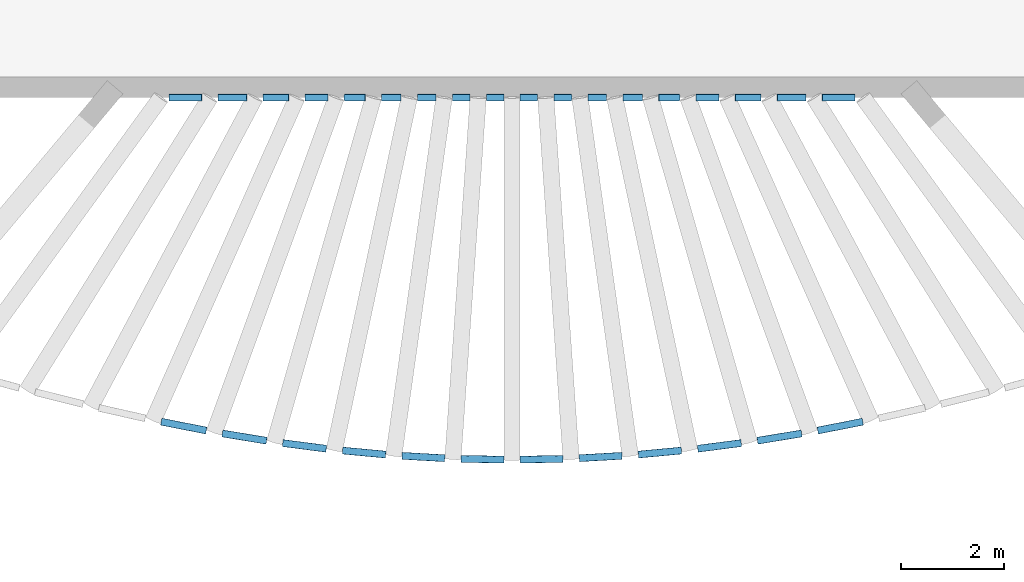
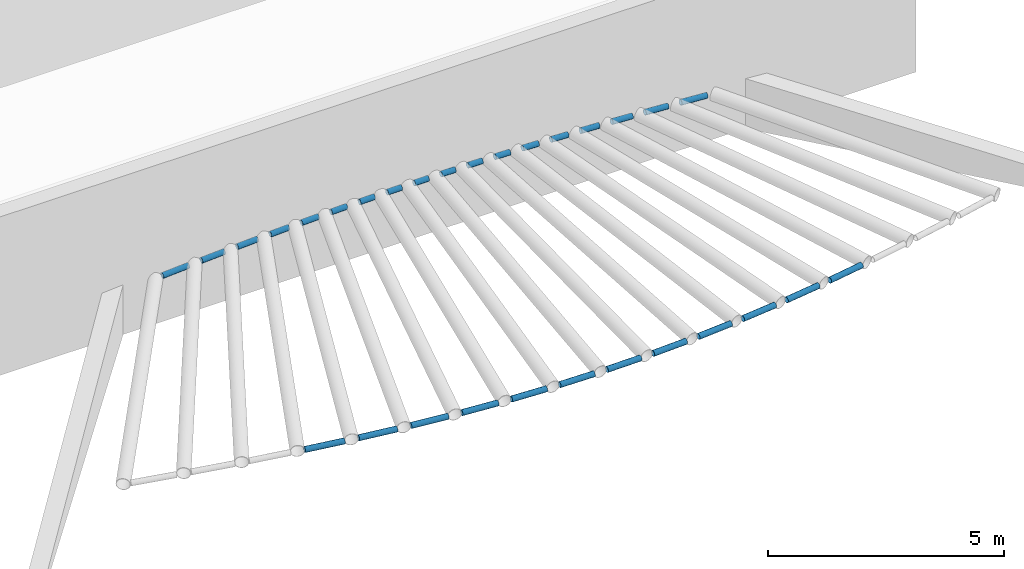
# One storey, part 26 of 85: 30 members.
"""IFC4 building model written with IfcOpenShell, lengths in metres."""

from ifc_helpers import new_model, si_unit, direction, frame, origin, origin_2d, place, context, subcontext, project, spatial, hollow_circle, extrude, material, material_profile, profile_set, type_object, element, save


model = new_model("IFC4")

# Units and contexts
model_context = context("Model", 3, precision=1e-05, world=origin(), true_north=direction((0.0, 1.0)))
body_context = subcontext(model_context, "Body", "Model", "MODEL_VIEW")
ifc_project = project(units=[si_unit("LENGTHUNIT", "METRE"), si_unit("AREAUNIT", "SQUARE_METRE"), si_unit("VOLUMEUNIT", "CUBIC_METRE"), si_unit("PLANEANGLEUNIT", "RADIAN"), si_unit("MASSUNIT", "GRAM", prefix="KILO")], contexts=[model_context])

# Site, building, storey
site_placement = place(None, origin())
site = spatial("IfcSite", under=ifc_project, at=site_placement, CompositionType="ELEMENT")
building_placement = place(site_placement, origin())
building = spatial("IfcBuilding", under=site, at=building_placement, Name="Rain Tree Exposition and Congress Centre", CompositionType="ELEMENT")
storey_placement = place(building_placement, frame((0.0, 0.0, 15.0)))
storey = spatial("IfcBuildingStorey", under=building, at=storey_placement, Name="L03", CompositionType="ELEMENT", Elevation=15.0)

# Members
ifc_material = material(Name="Steel S355J2H", Category="steel")
ifc_material_profile = material_profile(ifc_material, hollow_circle(Radius=0.06982421875, WallThickness=0.0048828125, at=origin_2d()), Name="CHS 140x5")
ifc_profile_set = profile_set([ifc_material_profile], Name="Steel S355J2H")
member_type = type_object("IfcMemberType", Name="Steel purlin member CHS 140x5", PredefinedType="PURLIN", material=ifc_profile_set)
member_1_placement = place(storey_placement, frame((194.93701171875, 57.81005859375, 1.193359375), z_axis=(0.998025663252, 0.0, 0.062807447726), x_axis=(0.0, 1.0, 0.0)))
element("IfcMember", 1, at=member_1_placement, inside=storey, type_object=member_type, Name="PU1-6", PredefinedType="PURLIN", context=body_context, shape_type="SweptSolid", body=[
    extrude(hollow_circle(Radius=0.06982421875, WallThickness=0.0048828125, at=origin_2d()), origin(), (0.0, 0.0, 1.0), 0.637451171875),
])
member_2_placement = place(storey_placement, frame((195.891845703125, 57.81005859375, 1.252197265625), z_axis=(0.998400445671, 0.0, 0.056538041041), x_axis=(0.0, 1.0, 0.0)))
element("IfcMember", 2, at=member_2_placement, inside=storey, type_object=member_type, Name="PU2-6", PredefinedType="PURLIN", context=body_context, shape_type="SweptSolid", body=[
    extrude(hollow_circle(Radius=0.06982421875, WallThickness=0.0048828125, at=origin_2d()), origin(), (0.0, 0.0, 1.0), 0.55712890625),
])
member_3_placement = place(storey_placement, frame((196.7666015625, 57.81005859375, 1.30029296875), z_axis=(0.998778085542, 0.0, 0.049419994337), x_axis=(0.0, 1.0, 0.0)))
element("IfcMember", 3, at=member_3_placement, inside=storey, type_object=member_type, Name="PU3-6", PredefinedType="PURLIN", context=body_context, shape_type="SweptSolid", body=[
    extrude(hollow_circle(Radius=0.06982421875, WallThickness=0.0048828125, at=origin_2d()), origin(), (0.0, 0.0, 1.0), 0.493896484375),
])
member_4_placement = place(storey_placement, frame((194.78369140625, 51.508544921875, 0.563720703125), z_axis=(0.981025148255, -0.192701368407, 0.021350435704), x_axis=(0.192745304031, 0.981248820521, 0.0)))
element("IfcMember", 4, at=member_4_placement, inside=storey, type_object=member_type, Name="PU4-5", PredefinedType="PURLIN", context=body_context, shape_type="SweptSolid", body=[
    extrude(hollow_circle(Radius=0.06982421875, WallThickness=0.0048828125, at=origin_2d()), origin(), (0.0, 0.0, 1.0), 0.891845703125),
])
member_5_placement = place(storey_placement, frame((197.57861328125, 57.81005859375, 1.33935546875), z_axis=(0.999106229255, 0.0, 0.04226987893), x_axis=(0.0, 1.0, 0.0)))
element("IfcMember", 5, at=member_5_placement, inside=storey, type_object=member_type, Name="PU4-6", PredefinedType="PURLIN", context=body_context, shape_type="SweptSolid", body=[
    extrude(hollow_circle(Radius=0.06982421875, WallThickness=0.0048828125, at=origin_2d()), origin(), (0.0, 0.0, 1.0), 0.44482421875),
])
member_6_placement = place(storey_placement, frame((195.97216796875, 51.280029296875, 0.5888671875), z_axis=(0.986690547933, -0.161734136485, 0.016847305884), x_axis=(0.161757094011, 0.986830604783, 0.0)))
element("IfcMember", 6, at=member_6_placement, inside=storey, type_object=member_type, Name="PU5-5", PredefinedType="PURLIN", context=body_context, shape_type="SweptSolid", body=[
    extrude(hollow_circle(Radius=0.06982421875, WallThickness=0.0048828125, at=origin_2d()), origin(), (0.0, 0.0, 1.0), 0.869384765625),
])
member_7_placement = place(storey_placement, frame((198.341552734375, 57.81005859375, 1.370361328125), z_axis=(0.9993945456, 0.0, 0.034792847326), x_axis=(0.0, 1.0, 0.0)))
element("IfcMember", 7, at=member_7_placement, inside=storey, type_object=member_type, Name="PU5-6", PredefinedType="PURLIN", context=body_context, shape_type="SweptSolid", body=[
    extrude(hollow_circle(Radius=0.06982421875, WallThickness=0.0048828125, at=origin_2d()), origin(), (0.0, 0.0, 1.0), 0.406982421875),
])
member_8_placement = place(storey_placement, frame((197.145263671875, 51.093017578125, 0.6083984375), z_axis=(0.991616792555, -0.128569431088, 0.012885577726), x_axis=(0.12858010613, 0.991699125898, 0.0)))
element("IfcMember", 8, at=member_8_placement, inside=storey, type_object=member_type, Name="PU6-5", PredefinedType="PURLIN", context=body_context, shape_type="SweptSolid", body=[
    extrude(hollow_circle(Radius=0.06982421875, WallThickness=0.0048828125, at=origin_2d()), origin(), (0.0, 0.0, 1.0), 0.8525390625),
])
member_9_placement = place(storey_placement, frame((199.06689453125, 57.81005859375, 1.394287109375), z_axis=(0.999614420653, 0.0, 0.02776706724), x_axis=(0.0, 1.0, 0.0)))
element("IfcMember", 9, at=member_9_placement, inside=storey, type_object=member_type, Name="PU6-6", PredefinedType="PURLIN", context=body_context, shape_type="SweptSolid", body=[
    extrude(hollow_circle(Radius=0.06982421875, WallThickness=0.0048828125, at=origin_2d()), origin(), (0.0, 0.0, 1.0), 0.378173828125),
])
member_10_placement = place(storey_placement, frame((198.307373046875, 50.947998046875, 0.623046875), z_axis=(0.995603987123, -0.093228961455, 0.009003419954), x_axis=(0.093232740327, 0.995644342188, 0.0)))
element("IfcMember", 10, at=member_10_placement, inside=storey, type_object=member_type, Name="PU7-5", PredefinedType="PURLIN", context=body_context, shape_type="SweptSolid", body=[
    extrude(hollow_circle(Radius=0.06982421875, WallThickness=0.0048828125, at=origin_2d()), origin(), (0.0, 0.0, 1.0), 0.840576171875),
])
member_11_placement = place(storey_placement, frame((199.763427734375, 57.81005859375, 1.412109375), z_axis=(0.999804132157, 0.0, 0.019791344596), x_axis=(0.0, 1.0, 0.0)))
element("IfcMember", 11, at=member_11_placement, inside=storey, type_object=member_type, Name="PU7-6", PredefinedType="PURLIN", context=body_context, shape_type="SweptSolid", body=[
    extrude(hollow_circle(Radius=0.06982421875, WallThickness=0.0048828125, at=origin_2d()), origin(), (0.0, 0.0, 1.0), 0.357666015625),
])
member_12_placement = place(storey_placement, frame((199.4619140625, 50.845703125, 0.633056640625), z_axis=(0.998384513989, -0.056573168291, 0.005276254038), x_axis=(0.056573955774, 0.998398411221, 0.0)))
element("IfcMember", 12, at=member_12_placement, inside=storey, type_object=member_type, Name="PU8-5", PredefinedType="PURLIN", context=body_context, shape_type="SweptSolid", body=[
    extrude(hollow_circle(Radius=0.06982421875, WallThickness=0.0048828125, at=origin_2d()), origin(), (0.0, 0.0, 1.0), 0.8330078125),
])
member_13_placement = place(storey_placement, frame((200.439697265625, 57.81005859375, 1.424072265625), z_axis=(0.999927428426, 0.0, 0.012047318415), x_axis=(0.0, 1.0, 0.0)))
element("IfcMember", 13, at=member_13_placement, inside=storey, type_object=member_type, Name="PU8-6", PredefinedType="PURLIN", context=body_context, shape_type="SweptSolid", body=[
    extrude(hollow_circle(Radius=0.06982421875, WallThickness=0.0048828125, at=origin_2d()), origin(), (0.0, 0.0, 1.0), 0.344482421875),
])
member_14_placement = place(storey_placement, frame((200.61181640625, 50.78662109375, 0.638671875), z_axis=(0.999820801648, -0.018847873728, 0.001766988162), x_axis=(0.018847903152, 0.999822362496, 0.0)))
element("IfcMember", 14, at=member_14_placement, inside=storey, type_object=member_type, Name="PU9-5", PredefinedType="PURLIN", context=body_context, shape_type="SweptSolid", body=[
    extrude(hollow_circle(Radius=0.06982421875, WallThickness=0.0048828125, at=origin_2d()), origin(), (0.0, 0.0, 1.0), 0.8291015625),
])
member_15_placement = place(storey_placement, frame((201.102783203125, 57.81005859375, 1.4306640625), z_axis=(0.999993474203, 0.0, 0.003612693187), x_axis=(0.0, 1.0, 0.0)))
element("IfcMember", 15, at=member_15_placement, inside=storey, type_object=member_type, Name="PU9-6", PredefinedType="PURLIN", context=body_context, shape_type="SweptSolid", body=[
    extrude(hollow_circle(Radius=0.06982421875, WallThickness=0.0048828125, at=origin_2d()), origin(), (0.0, 0.0, 1.0), 0.337890625),
])
member_16_placement = place(storey_placement, frame((201.75927734375, 50.77099609375, 0.64013671875), z_axis=(0.999820801648, 0.018847873728, -0.001766988162), x_axis=(-0.018847903152, 0.999822362496, 0.0)))
element("IfcMember", 16, at=member_16_placement, inside=storey, type_object=member_type, Name="PU10-5", PredefinedType="PURLIN", context=body_context, shape_type="SweptSolid", body=[
    extrude(hollow_circle(Radius=0.06982421875, WallThickness=0.0048828125, at=origin_2d()), origin(), (0.0, 0.0, 1.0), 0.8291015625),
])
member_17_placement = place(storey_placement, frame((201.75927734375, 57.81005859375, 1.431884765625), z_axis=(0.999993483623, 0.0, -0.003610084778), x_axis=(0.0, 1.0, 0.0)))
element("IfcMember", 17, at=member_17_placement, inside=storey, type_object=member_type, Name="PU10-6", PredefinedType="PURLIN", context=body_context, shape_type="SweptSolid", body=[
    extrude(hollow_circle(Radius=0.06982421875, WallThickness=0.0048828125, at=origin_2d()), origin(), (0.0, 0.0, 1.0), 0.338134765625),
])
member_18_placement = place(storey_placement, frame((202.906494140625, 50.798583984375, 0.637451171875), z_axis=(0.998385459888, 0.056556616894, -0.005274710384), x_axis=(-0.056557403686, 0.998399349002, 0.0)))
element("IfcMember", 18, at=member_18_placement, inside=storey, type_object=member_type, Name="PU11-5", PredefinedType="PURLIN", context=body_context, shape_type="SweptSolid", body=[
    extrude(hollow_circle(Radius=0.06982421875, WallThickness=0.0048828125, at=origin_2d()), origin(), (0.0, 0.0, 1.0), 0.833251953125),
])
member_19_placement = place(storey_placement, frame((202.416015625, 57.81005859375, 1.42822265625), z_axis=(0.999927428426, 0.0, -0.012047318415), x_axis=(0.0, 1.0, 0.0)))
element("IfcMember", 19, at=member_19_placement, inside=storey, type_object=member_type, Name="PU11-6", PredefinedType="PURLIN", context=body_context, shape_type="SweptSolid", body=[
    extrude(hollow_circle(Radius=0.06982421875, WallThickness=0.0048828125, at=origin_2d()), origin(), (0.0, 0.0, 1.0), 0.344482421875),
])
member_20_placement = place(storey_placement, frame((204.055908203125, 50.86962890625, 0.630615234375), z_axis=(0.995601438137, 0.093255926945, -0.009006024098), x_axis=(-0.093259709098, 0.995641816448, 0.0)))
element("IfcMember", 20, at=member_20_placement, inside=storey, type_object=member_type, Name="PU12-5", PredefinedType="PURLIN", context=body_context, shape_type="SweptSolid", body=[
    extrude(hollow_circle(Radius=0.06982421875, WallThickness=0.0048828125, at=origin_2d()), origin(), (0.0, 0.0, 1.0), 0.84033203125),
])
member_21_placement = place(storey_placement, frame((203.0791015625, 57.81005859375, 1.419189453125), z_axis=(0.999803864566, 0.0, -0.019804857973), x_axis=(0.0, 1.0, 0.0)))
element("IfcMember", 21, at=member_21_placement, inside=storey, type_object=member_type, Name="PU12-6", PredefinedType="PURLIN", context=body_context, shape_type="SweptSolid", body=[
    extrude(hollow_circle(Radius=0.06982421875, WallThickness=0.0048828125, at=origin_2d()), origin(), (0.0, 0.0, 1.0), 0.357421875),
])
member_22_placement = place(storey_placement, frame((205.209228515625, 50.9833984375, 0.619384765625), z_axis=(0.991616792555, 0.128569431088, -0.012885577726), x_axis=(-0.12858010613, 0.991699125898, 0.0)))
element("IfcMember", 22, at=member_22_placement, inside=storey, type_object=member_type, Name="PU13-5", PredefinedType="PURLIN", context=body_context, shape_type="SweptSolid", body=[
    extrude(hollow_circle(Radius=0.06982421875, WallThickness=0.0048828125, at=origin_2d()), origin(), (0.0, 0.0, 1.0), 0.8525390625),
])
member_23_placement = place(storey_placement, frame((203.755126953125, 57.81005859375, 1.40478515625), z_axis=(0.999614918048, 0.0, -0.027749155246), x_axis=(0.0, 1.0, 0.0)))
element("IfcMember", 23, at=member_23_placement, inside=storey, type_object=member_type, Name="PU13-6", PredefinedType="PURLIN", context=body_context, shape_type="SweptSolid", body=[
    extrude(hollow_circle(Radius=0.06982421875, WallThickness=0.0048828125, at=origin_2d()), origin(), (0.0, 0.0, 1.0), 0.37841796875),
])
member_24_placement = place(storey_placement, frame((206.369873046875, 51.139404296875, 0.603515625), z_axis=(0.986690547933, 0.161734136485, -0.016847305884), x_axis=(-0.161757094011, 0.986830604783, 0.0)))
element("IfcMember", 24, at=member_24_placement, inside=storey, type_object=member_type, Name="PU14-5", PredefinedType="PURLIN", context=body_context, shape_type="SweptSolid", body=[
    extrude(hollow_circle(Radius=0.06982421875, WallThickness=0.0048828125, at=origin_2d()), origin(), (0.0, 0.0, 1.0), 0.869384765625),
])
member_25_placement = place(storey_placement, frame((204.451904296875, 57.81005859375, 1.384521484375), z_axis=(0.99939381877, 0.0, -0.034813718612), x_axis=(0.0, 1.0, 0.0)))
element("IfcMember", 25, at=member_25_placement, inside=storey, type_object=member_type, Name="PU14-6", PredefinedType="PURLIN", context=body_context, shape_type="SweptSolid", body=[
    extrude(hollow_circle(Radius=0.06982421875, WallThickness=0.0048828125, at=origin_2d()), origin(), (0.0, 0.0, 1.0), 0.40673828125),
])
member_26_placement = place(storey_placement, frame((207.541259765625, 51.336669921875, 0.582763671875), z_axis=(0.981025148255, 0.192701368407, -0.021350435704), x_axis=(-0.192745304031, 0.981248820521, 0.0)))
element("IfcMember", 26, at=member_26_placement, inside=storey, type_object=member_type, Name="PU15-5", PredefinedType="PURLIN", context=body_context, shape_type="SweptSolid", body=[
    extrude(hollow_circle(Radius=0.06982421875, WallThickness=0.0048828125, at=origin_2d()), origin(), (0.0, 0.0, 1.0), 0.891845703125),
])
member_27_placement = place(storey_placement, frame((205.177001953125, 57.81005859375, 1.358154296875), z_axis=(0.999106229255, 0.0, -0.04226987893), x_axis=(0.0, 1.0, 0.0)))
element("IfcMember", 27, at=member_27_placement, inside=storey, type_object=member_type, Name="PU15-6", PredefinedType="PURLIN", context=body_context, shape_type="SweptSolid", body=[
    extrude(hollow_circle(Radius=0.06982421875, WallThickness=0.0048828125, at=origin_2d()), origin(), (0.0, 0.0, 1.0), 0.44482421875),
])
member_28_placement = place(storey_placement, frame((205.93994140625, 57.81005859375, 1.32470703125), z_axis=(0.998779291652, 0.0, -0.049395612841), x_axis=(0.0, 1.0, 0.0)))
element("IfcMember", 28, at=member_28_placement, inside=storey, type_object=member_type, Name="PU16-6", PredefinedType="PURLIN", context=body_context, shape_type="SweptSolid", body=[
    extrude(hollow_circle(Radius=0.06982421875, WallThickness=0.0048828125, at=origin_2d()), origin(), (0.0, 0.0, 1.0), 0.494140625),
])
member_29_placement = place(storey_placement, frame((206.752197265625, 57.81005859375, 1.28369140625), z_axis=(0.998399043768, 0.0, -0.056562791676), x_axis=(0.0, 1.0, 0.0)))
element("IfcMember", 29, at=member_29_placement, inside=storey, type_object=member_type, Name="PU17-6", PredefinedType="PURLIN", context=body_context, shape_type="SweptSolid", body=[
    extrude(hollow_circle(Radius=0.06982421875, WallThickness=0.0048828125, at=origin_2d()), origin(), (0.0, 0.0, 1.0), 0.556884765625),
])
member_30_placement = place(storey_placement, frame((207.626708984375, 57.81005859375, 1.2333984375), z_axis=(0.998025663252, 0.0, -0.062807447726), x_axis=(0.0, 1.0, 0.0)))
element("IfcMember", 30, at=member_30_placement, inside=storey, type_object=member_type, Name="PU18-6", PredefinedType="PURLIN", context=body_context, shape_type="SweptSolid", body=[
    extrude(hollow_circle(Radius=0.06982421875, WallThickness=0.0048828125, at=origin_2d()), origin(), (0.0, 0.0, 1.0), 0.637451171875),
])

save(model, "model.ifc")
